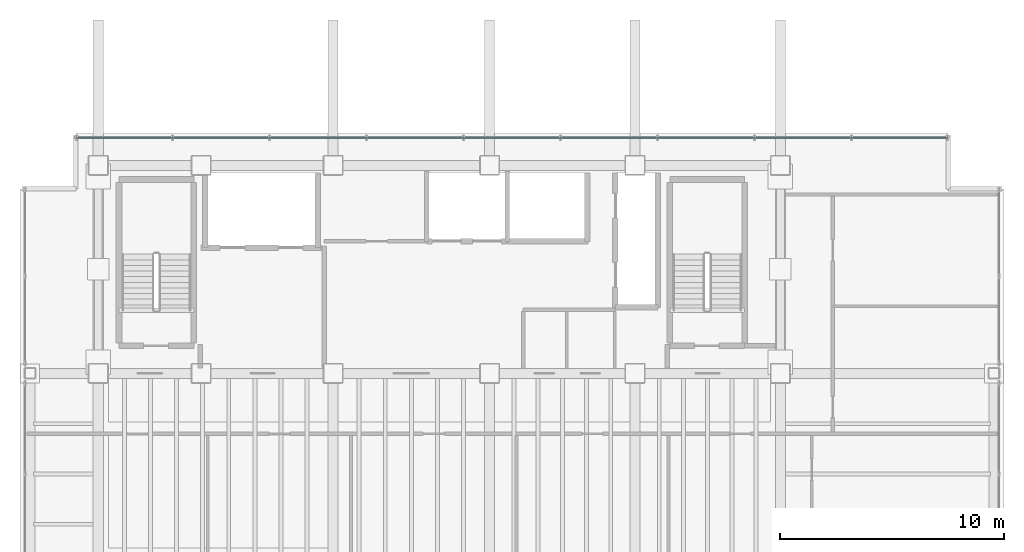
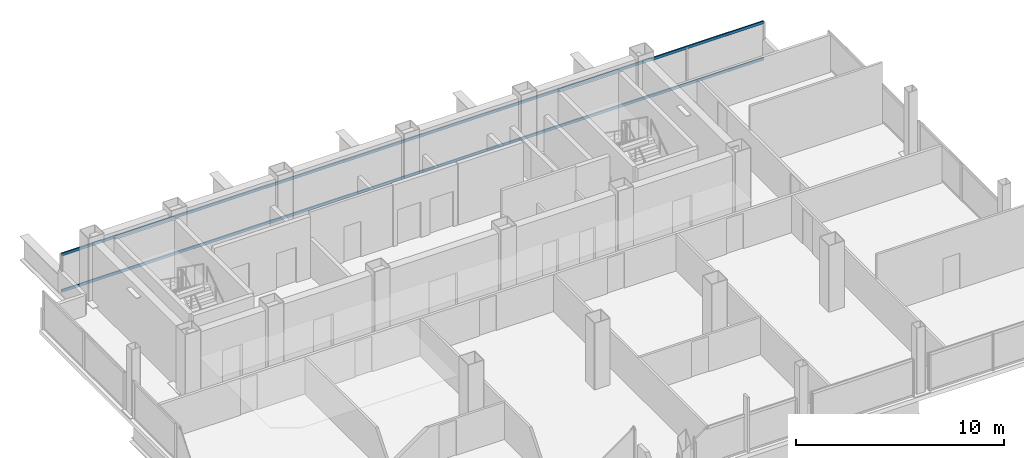
# One storey, part 10 of 17: 2 members, 1 element without a shape of its own.
"""IFC4 building model written with IfcOpenShell, lengths in metres."""

from ifc_helpers import new_model, si_unit, direction, frame, origin, origin_2d, place, context, subcontext, project, spatial, hollow_rectangle, extrude, material, material_profile, profile_set, type_object, element, aggregate, save


model = new_model("IFC4")

# Units and contexts
model_context = context("Model", 3, precision=1e-05, world=origin(), true_north=direction((0.0, 1.0)))
body_context = subcontext(model_context, "Body", "Model", "MODEL_VIEW")
ifc_project = project(units=[si_unit("LENGTHUNIT", "METRE"), si_unit("AREAUNIT", "SQUARE_METRE"), si_unit("VOLUMEUNIT", "CUBIC_METRE"), si_unit("PLANEANGLEUNIT", "RADIAN"), si_unit("MASSUNIT", "GRAM", prefix="KILO")], contexts=[model_context])

# Site, building, storey
site_placement = place(None, origin())
site = spatial("IfcSite", under=ifc_project, at=site_placement, CompositionType="ELEMENT")
building_placement = place(site_placement, origin())
building = spatial("IfcBuilding", under=site, at=building_placement, Name="Noeulbin Bourse Tower", CompositionType="ELEMENT")
storey_placement = place(building_placement, frame((0.0, 0.0, 196.800048828125)))
storey = spatial("IfcBuildingStorey", under=building, at=storey_placement, Name="L49", CompositionType="ELEMENT", Elevation=196.800048828125)

# Curtain wall, members
ifc_material_1 = material(Name="Dark Tinted Triple Glazing", Category="glass")
curtain_wall_type = type_object("IfcCurtainWallType", Name="CW-SYS-3", PredefinedType="NOTDEFINED", material=ifc_material_1)
curtain_wall_placement = place(storey_placement, origin())
curtain_wall = element("IfcCurtainWall", 1, at=curtain_wall_placement, inside=storey, type_object=curtain_wall_type, Name="Unitised Curtain Wall CW-L49-N", PredefinedType="NOTDEFINED")
ifc_material_2 = material(Name="Anodised Aluminium 6063-T6", Category="aluminium")
ifc_material_profile = material_profile(ifc_material_2, hollow_rectangle(XDim=0.074951171875, YDim=0.159912109375, WallThickness=0.0048828125, InnerFilletRadius=0.00244140625, OuterFilletRadius=0.0048828125, at=origin_2d()), Name="ALU-TRAN-75x160x5", Category="LoadBearing")
ifc_profile_set = profile_set([ifc_material_profile], Name="Anodised Aluminium 6063-T6")
member_type = type_object("IfcMemberType", Name="CW-SYS-3-TRN", PredefinedType="USERDEFINED", material=ifc_profile_set)
member_1_placement = place(storey_placement, frame((12.530029296875, 39.530029296875, 0.010009765625), z_axis=(1.0, 0.0, 0.0), x_axis=(0.0, 1.0, 0.0)))
member_1 = element("IfcMember", 2, at=member_1_placement, type_object=member_type, Name="Curtain Wall Transom CW-L49-N-T00", ObjectType="TRANSOM", PredefinedType="USERDEFINED", context=body_context, shape_type="SweptSolid", body=[
    extrude(hollow_rectangle(XDim=0.074951171875, YDim=0.159912109375, WallThickness=0.0048828125, InnerFilletRadius=0.00244140625, OuterFilletRadius=0.0048828125, at=origin_2d()), origin(), (0.0, 0.0, 1.0), 38.93994140625),
])
member_2_placement = place(storey_placement, frame((12.530029296875, 39.530029296875, 2.14990234375), z_axis=(1.0, 0.0, 0.0), x_axis=(0.0, 1.0, 0.0)))
member_2 = element("IfcMember", 3, at=member_2_placement, type_object=member_type, Name="Curtain Wall Transom CW-L49-N-T01", ObjectType="TRANSOM", PredefinedType="USERDEFINED", context=body_context, shape_type="SweptSolid", body=[
    extrude(hollow_rectangle(XDim=0.074951171875, YDim=0.159912109375, WallThickness=0.0048828125, InnerFilletRadius=0.00244140625, OuterFilletRadius=0.0048828125, at=origin_2d()), origin(), (0.0, 0.0, 1.0), 38.93994140625),
])
aggregate(curtain_wall, [member_1, member_2])

save(model, "model.ifc")
